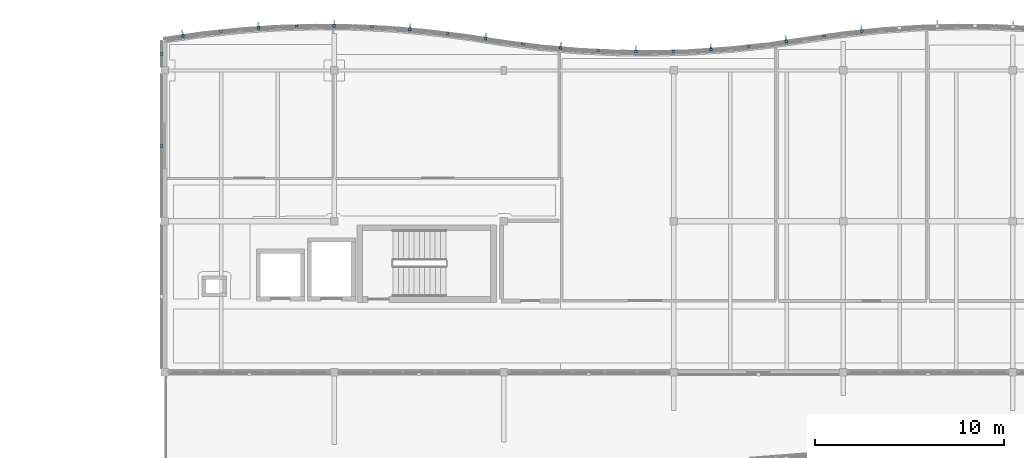
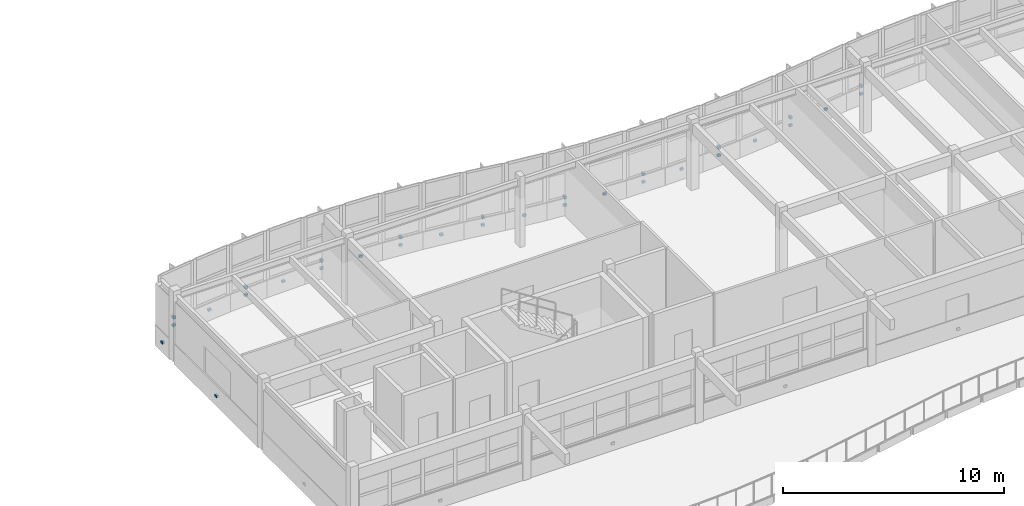
# One storey, part 39 of 52: 31 discrete accessories.
"""IFC4 building model written with IfcOpenShell, lengths in metres."""

from ifc_helpers import new_model, si_unit, direction, frame, origin, origin_2d, place, context, subcontext, project, spatial, rectangle, extrude, material, type_object, element, save


model = new_model("IFC4")

# Units and contexts
model_context = context("Model", 3, precision=1e-05, world=origin(), true_north=direction((0.0, 1.0)))
body_context = subcontext(model_context, "Body", "Model", "MODEL_VIEW")
ifc_project = project(units=[si_unit("LENGTHUNIT", "METRE"), si_unit("AREAUNIT", "SQUARE_METRE"), si_unit("VOLUMEUNIT", "CUBIC_METRE"), si_unit("PLANEANGLEUNIT", "RADIAN"), si_unit("MASSUNIT", "GRAM", prefix="KILO")], contexts=[model_context])

# Site, building, storey
site_placement = place(None, origin())
site = spatial("IfcSite", under=ifc_project, at=site_placement, CompositionType="ELEMENT")
building_placement = place(site_placement, origin())
building = spatial("IfcBuilding", under=site, at=building_placement, Name="Tonlespit Floodbar School", CompositionType="ELEMENT")
storey_placement = place(building_placement, frame((0.0, 0.0, 12.300048828125)))
storey = spatial("IfcBuildingStorey", under=building, at=storey_placement, Name="L03", CompositionType="ELEMENT", Elevation=12.300048828125)

# Discrete accessories
ifc_material = material(Name="Galvanised Steel", Category="steel")
discrete_accessory_type = type_object("IfcDiscreteAccessoryType", Name="Bracket_Facade_S355", PredefinedType="BRACKET", material=ifc_material)
discrete_accessory_1_placement = place(storey_placement, frame((44.981201171875, 121.824462890625, 0.35498046875), z_axis=(0.0, 0.0, 1.0), x_axis=(0.989537627347, 0.144275029245, 0.0)))
element("IfcDiscreteAccessory", 1, at=discrete_accessory_1_placement, inside=storey, type_object=discrete_accessory_type, Name="L03 white band support bracket 0214", PredefinedType="BRACKET", context=body_context, shape_type="SweptSolid", body=[
    extrude(rectangle(XDim=0.159912109375, YDim=0.1201171875, at=origin_2d()), origin(), (0.0, 0.0, 1.0), 0.1201171875),
])
discrete_accessory_2_placement = place(storey_placement, frame((44.979736328125, 121.834228515625, 0.77978515625), z_axis=(0.0, 0.0, 1.0), x_axis=(0.989537627347, 0.144275029245, 0.0)))
element("IfcDiscreteAccessory", 2, at=discrete_accessory_2_placement, inside=storey, type_object=discrete_accessory_type, Name="Solar fin support bracket 056", PredefinedType="BRACKET", context=body_context, shape_type="SweptSolid", body=[
    extrude(rectangle(XDim=0.1201171875, YDim=0.179931640625, at=origin_2d()), origin(), (0.0, 0.0, 1.0), 0.139892578125),
])
for number, where, z_axis, x_axis, name in (
    (3, (46.986328125, 122.0771484375, 0.35498046875), (0.0, 0.0, 1.0), (0.99439234017, 0.105753835922, 0.0), "L03 white band support bracket 0215"),
    (4, (48.9912109375, 122.25146484375, 0.35498046875), (0.0, 0.0, 1.0), (0.997729639049, 0.067346621018, 0.0), "L03 white band support bracket 0216"),
):
    element("IfcDiscreteAccessory", number, at=place(storey_placement, frame(where, z_axis=z_axis, x_axis=x_axis)), inside=storey, type_object=discrete_accessory_type, Name=name, PredefinedType="BRACKET", context=body_context, shape_type="SweptSolid", body=[
        extrude(rectangle(XDim=0.159912109375, YDim=0.1201171875, at=origin_2d()), origin(), (0.0, 0.0, 1.0), 0.1201171875),
    ])
discrete_accessory_3_placement = place(storey_placement, frame((48.990478515625, 122.261474609375, 0.77978515625), z_axis=(0.0, 0.0, 1.0), x_axis=(0.997729639049, 0.067346621018, 0.0)))
element("IfcDiscreteAccessory", 5, at=discrete_accessory_3_placement, inside=storey, type_object=discrete_accessory_type, Name="Solar fin support bracket 057", PredefinedType="BRACKET", context=body_context, shape_type="SweptSolid", body=[
    extrude(rectangle(XDim=0.1201171875, YDim=0.179931640625, at=origin_2d()), origin(), (0.0, 0.0, 1.0), 0.139892578125),
])
for number, where, z_axis, x_axis, name in (
    (6, (50.996337890625, 122.34814453125, 0.35498046875), (0.0, 0.0, 1.0), (0.999584110869, 0.02883756748, 0.0), "L03 white band support bracket 0217"),
    (7, (53.001220703125, 122.367431640625, 0.35498046875), (0.0, 0.0, 1.0), (0.999953926969, -0.009599163462, 0.0), "L03 white band support bracket 0218"),
):
    element("IfcDiscreteAccessory", number, at=place(storey_placement, frame(where, z_axis=z_axis, x_axis=x_axis)), inside=storey, type_object=discrete_accessory_type, Name=name, PredefinedType="BRACKET", context=body_context, shape_type="SweptSolid", body=[
        extrude(rectangle(XDim=0.159912109375, YDim=0.1201171875, at=origin_2d()), origin(), (0.0, 0.0, 1.0), 0.1201171875),
    ])
discrete_accessory_4_placement = place(storey_placement, frame((53.001220703125, 122.37744140625, 0.77978515625), z_axis=(0.0, 0.0, 1.0), x_axis=(0.999953926969, -0.009599163462, 0.0)))
element("IfcDiscreteAccessory", 8, at=discrete_accessory_4_placement, inside=storey, type_object=discrete_accessory_type, Name="Solar fin support bracket 058", PredefinedType="BRACKET", context=body_context, shape_type="SweptSolid", body=[
    extrude(rectangle(XDim=0.1201171875, YDim=0.179931640625, at=origin_2d()), origin(), (0.0, 0.0, 1.0), 0.139892578125),
])
for number, where, z_axis, x_axis, name in (
    (9, (55.00634765625, 122.3095703125, 0.35498046875), (0.0, 0.0, 1.0), (0.998842769234, -0.048094930587, 0.0), "L03 white band support bracket 0219"),
    (10, (57.01123046875, 122.174072265625, 0.35498046875), (0.0, 0.0, 1.0), (0.996245486492, -0.086573267488, 0.0), "L03 white band support bracket 0220"),
):
    element("IfcDiscreteAccessory", number, at=place(storey_placement, frame(where, z_axis=z_axis, x_axis=x_axis)), inside=storey, type_object=discrete_accessory_type, Name=name, PredefinedType="BRACKET", context=body_context, shape_type="SweptSolid", body=[
        extrude(rectangle(XDim=0.159912109375, YDim=0.1201171875, at=origin_2d()), origin(), (0.0, 0.0, 1.0), 0.1201171875),
    ])
discrete_accessory_5_placement = place(storey_placement, frame((57.01220703125, 122.18408203125, 0.77978515625), z_axis=(0.0, 0.0, 1.0), x_axis=(0.996245486492, -0.086573267488, 0.0)))
element("IfcDiscreteAccessory", 11, at=discrete_accessory_5_placement, inside=storey, type_object=discrete_accessory_type, Name="Solar fin support bracket 059", PredefinedType="BRACKET", context=body_context, shape_type="SweptSolid", body=[
    extrude(rectangle(XDim=0.1201171875, YDim=0.179931640625, at=origin_2d()), origin(), (0.0, 0.0, 1.0), 0.139892578125),
])
for number, where, z_axis, x_axis, name in (
    (12, (59.016357421875, 121.960693359375, 0.35498046875), (0.0, 0.0, 1.0), (0.99215533612, -0.125011155539, 0.0), "L03 white band support bracket 0221"),
    (13, (61.02001953125, 121.678466796875, 0.35498046875), (0.0, 0.0, 1.0), (0.988094768361, -0.153846445322, 0.0), "L03 white band support bracket 0222"),
):
    element("IfcDiscreteAccessory", number, at=place(storey_placement, frame(where, z_axis=z_axis, x_axis=x_axis)), inside=storey, type_object=discrete_accessory_type, Name=name, PredefinedType="BRACKET", context=body_context, shape_type="SweptSolid", body=[
        extrude(rectangle(XDim=0.159912109375, YDim=0.1201171875, at=origin_2d()), origin(), (0.0, 0.0, 1.0), 0.1201171875),
    ])
discrete_accessory_6_placement = place(storey_placement, frame((61.021484375, 121.688232421875, 0.77978515625), z_axis=(0.0, 0.0, 1.0), x_axis=(0.988094768361, -0.153846445322, 0.0)))
element("IfcDiscreteAccessory", 14, at=discrete_accessory_6_placement, inside=storey, type_object=discrete_accessory_type, Name="Solar fin support bracket 060", PredefinedType="BRACKET", context=body_context, shape_type="SweptSolid", body=[
    extrude(rectangle(XDim=0.1201171875, YDim=0.179931640625, at=origin_2d()), origin(), (0.0, 0.0, 1.0), 0.139892578125),
])
for number, where, z_axis, x_axis, name in (
    (15, (63.016357421875, 121.397216796875, 0.35498046875), (0.0, 0.0, 1.0), (0.99215533612, -0.125011155539, 0.0), "L03 white band support bracket 0223"),
    (16, (65.01123046875, 121.184814453125, 0.35498046875), (0.0, 0.0, 1.0), (0.996245486492, -0.086573267488, 0.0), "L03 white band support bracket 0224"),
):
    element("IfcDiscreteAccessory", number, at=place(storey_placement, frame(where, z_axis=z_axis, x_axis=x_axis)), inside=storey, type_object=discrete_accessory_type, Name=name, PredefinedType="BRACKET", context=body_context, shape_type="SweptSolid", body=[
        extrude(rectangle(XDim=0.159912109375, YDim=0.1201171875, at=origin_2d()), origin(), (0.0, 0.0, 1.0), 0.1201171875),
    ])
discrete_accessory_7_placement = place(storey_placement, frame((65.01220703125, 121.19482421875, 0.77978515625), z_axis=(0.0, 0.0, 1.0), x_axis=(0.996245486492, -0.086573267488, 0.0)))
element("IfcDiscreteAccessory", 17, at=discrete_accessory_7_placement, inside=storey, type_object=discrete_accessory_type, Name="Solar fin support bracket 061", PredefinedType="BRACKET", context=body_context, shape_type="SweptSolid", body=[
    extrude(rectangle(XDim=0.1201171875, YDim=0.179931640625, at=origin_2d()), origin(), (0.0, 0.0, 1.0), 0.139892578125),
])
for number, where, z_axis, x_axis, name in (
    (18, (67.00634765625, 121.05029296875, 0.35498046875), (0.0, 0.0, 1.0), (0.998842769234, -0.048094930587, 0.0), "L03 white band support bracket 0225"),
    (19, (69.001220703125, 120.99267578125, 0.35498046875), (0.0, 0.0, 1.0), (0.999953926969, -0.009599163462, 0.0), "L03 white band support bracket 0226"),
):
    element("IfcDiscreteAccessory", number, at=place(storey_placement, frame(where, z_axis=z_axis, x_axis=x_axis)), inside=storey, type_object=discrete_accessory_type, Name=name, PredefinedType="BRACKET", context=body_context, shape_type="SweptSolid", body=[
        extrude(rectangle(XDim=0.159912109375, YDim=0.1201171875, at=origin_2d()), origin(), (0.0, 0.0, 1.0), 0.1201171875),
    ])
discrete_accessory_8_placement = place(storey_placement, frame((69.001220703125, 121.002685546875, 0.77978515625), z_axis=(0.0, 0.0, 1.0), x_axis=(0.999953926969, -0.009599163462, 0.0)))
element("IfcDiscreteAccessory", 20, at=discrete_accessory_8_placement, inside=storey, type_object=discrete_accessory_type, Name="Solar fin support bracket 062", PredefinedType="BRACKET", context=body_context, shape_type="SweptSolid", body=[
    extrude(rectangle(XDim=0.1201171875, YDim=0.179931640625, at=origin_2d()), origin(), (0.0, 0.0, 1.0), 0.139892578125),
])
for number, where, z_axis, x_axis, name in (
    (21, (70.996337890625, 121.01171875, 0.35498046875), (0.0, 0.0, 1.0), (0.999584110869, 0.02883756748, 0.0), "L03 white band support bracket 0227"),
    (22, (72.9912109375, 121.10791015625, 0.35498046875), (0.0, 0.0, 1.0), (0.997729639049, 0.067346621018, 0.0), "L03 white band support bracket 0228"),
):
    element("IfcDiscreteAccessory", number, at=place(storey_placement, frame(where, z_axis=z_axis, x_axis=x_axis)), inside=storey, type_object=discrete_accessory_type, Name=name, PredefinedType="BRACKET", context=body_context, shape_type="SweptSolid", body=[
        extrude(rectangle(XDim=0.159912109375, YDim=0.1201171875, at=origin_2d()), origin(), (0.0, 0.0, 1.0), 0.1201171875),
    ])
discrete_accessory_9_placement = place(storey_placement, frame((72.990478515625, 121.117919921875, 0.77978515625), z_axis=(0.0, 0.0, 1.0), x_axis=(0.997729639049, 0.067346621018, 0.0)))
element("IfcDiscreteAccessory", 23, at=discrete_accessory_9_placement, inside=storey, type_object=discrete_accessory_type, Name="Solar fin support bracket 063", PredefinedType="BRACKET", context=body_context, shape_type="SweptSolid", body=[
    extrude(rectangle(XDim=0.1201171875, YDim=0.179931640625, at=origin_2d()), origin(), (0.0, 0.0, 1.0), 0.139892578125),
])
for number, where, z_axis, x_axis, name in (
    (24, (74.986328125, 121.28125, 0.35498046875), (0.0, 0.0, 1.0), (0.99439234017, 0.105753835922, 0.0), "L03 white band support bracket 0229"),
    (25, (76.981201171875, 121.53271484375, 0.35498046875), (0.0, 0.0, 1.0), (0.989537627347, 0.144275029245, 0.0), "L03 white band support bracket 0230"),
):
    element("IfcDiscreteAccessory", number, at=place(storey_placement, frame(where, z_axis=z_axis, x_axis=x_axis)), inside=storey, type_object=discrete_accessory_type, Name=name, PredefinedType="BRACKET", context=body_context, shape_type="SweptSolid", body=[
        extrude(rectangle(XDim=0.159912109375, YDim=0.1201171875, at=origin_2d()), origin(), (0.0, 0.0, 1.0), 0.1201171875),
    ])
discrete_accessory_10_placement = place(storey_placement, frame((76.979736328125, 121.542724609375, 0.77978515625), z_axis=(0.0, 0.0, 1.0), x_axis=(0.989537627347, 0.144275029245, 0.0)))
element("IfcDiscreteAccessory", 26, at=discrete_accessory_10_placement, inside=storey, type_object=discrete_accessory_type, Name="Solar fin support bracket 064", PredefinedType="BRACKET", context=body_context, shape_type="SweptSolid", body=[
    extrude(rectangle(XDim=0.1201171875, YDim=0.179931640625, at=origin_2d()), origin(), (0.0, 0.0, 1.0), 0.139892578125),
])
for number, where, z_axis, x_axis, name in (
    (27, (78.981201171875, 121.824462890625, 0.35498046875), (0.0, 0.0, 1.0), (0.989537627347, 0.144275029245, 0.0), "L03 white band support bracket 0231"),
    (28, (80.986328125, 122.0771484375, 0.35498046875), (0.0, 0.0, 1.0), (0.99439234017, 0.105753835922, 0.0), "L03 white band support bracket 0232"),
):
    element("IfcDiscreteAccessory", number, at=place(storey_placement, frame(where, z_axis=z_axis, x_axis=x_axis)), inside=storey, type_object=discrete_accessory_type, Name=name, PredefinedType="BRACKET", context=body_context, shape_type="SweptSolid", body=[
        extrude(rectangle(XDim=0.159912109375, YDim=0.1201171875, at=origin_2d()), origin(), (0.0, 0.0, 1.0), 0.1201171875),
    ])
discrete_accessory_11_placement = place(storey_placement, frame((80.985107421875, 122.087158203125, 0.77978515625), z_axis=(0.0, 0.0, 1.0), x_axis=(0.99439234017, 0.105753835922, 0.0)))
element("IfcDiscreteAccessory", 29, at=discrete_accessory_11_placement, inside=storey, type_object=discrete_accessory_type, Name="Solar fin support bracket 065", PredefinedType="BRACKET", context=body_context, shape_type="SweptSolid", body=[
    extrude(rectangle(XDim=0.1201171875, YDim=0.179931640625, at=origin_2d()), origin(), (0.0, 0.0, 1.0), 0.139892578125),
])
for number, where, z_axis, x_axis, name in (
    (30, (43.85009765625, 116.0, 0.3798828125), (0.0, 0.0, 1.0), (0.0, 1.0, 0.0), "L03 white band support bracket 0259"),
    (31, (43.85009765625, 120.875, 0.3798828125), (0.0, 0.0, 1.0), (0.0, 1.0, 0.0), "L03 white band support bracket 0260"),
):
    element("IfcDiscreteAccessory", number, at=place(storey_placement, frame(where, z_axis=z_axis, x_axis=x_axis)), inside=storey, type_object=discrete_accessory_type, Name=name, PredefinedType="BRACKET", context=body_context, shape_type="SweptSolid", body=[
        extrude(rectangle(XDim=0.159912109375, YDim=0.1201171875, at=origin_2d()), origin(), (0.0, 0.0, 1.0), 0.1201171875),
    ])

save(model, "model.ifc")
